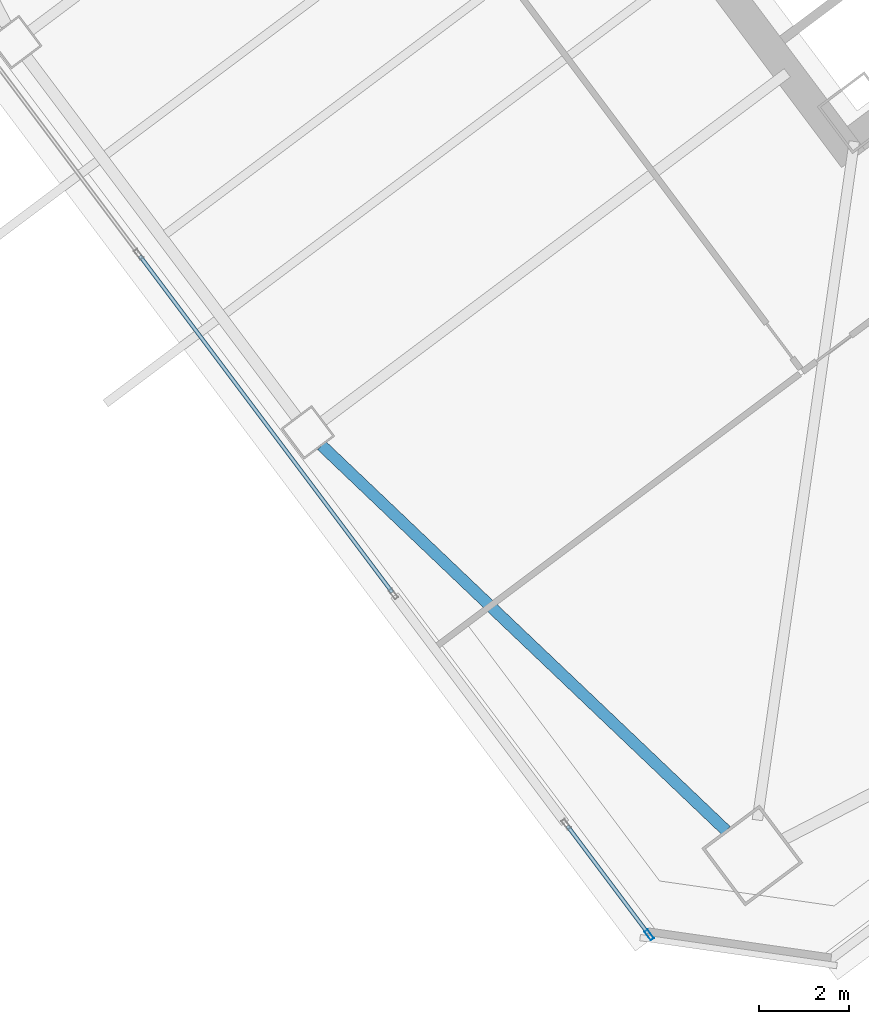
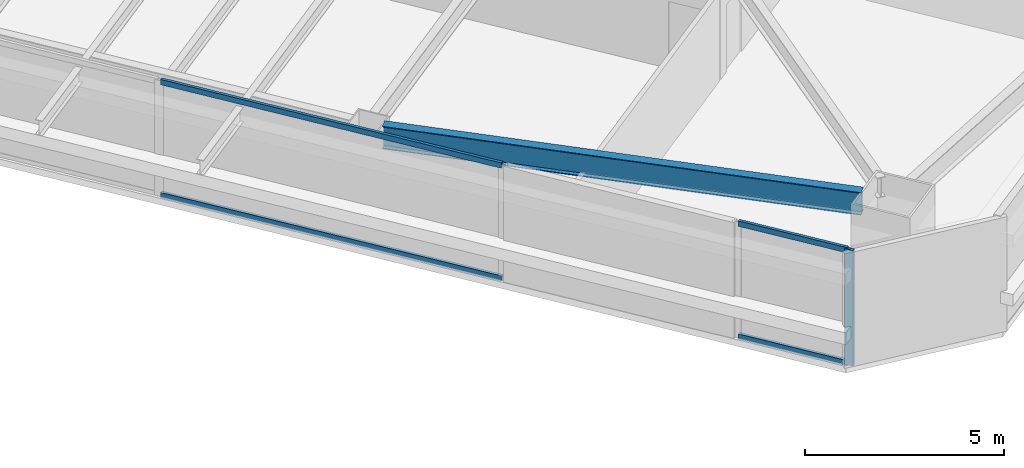
# One storey, part 21 of 48: 5 members, 1 beam, 2 elements without a shape of their own.
"""IFC4 building model written with IfcOpenShell, lengths in metres."""

from ifc_helpers import new_model, si_unit, direction, frame, origin, origin_2d, place, context, subcontext, project, spatial, hollow_rectangle, i_section, extrude, material, material_profile, profile_set, type_object, element, aggregate, save


model = new_model("IFC4")

# Units and contexts
model_context = context("Model", 3, precision=1e-05, world=origin(), true_north=direction((0.0, 1.0)))
body_context = subcontext(model_context, "Body", "Model", "MODEL_VIEW")
ifc_project = project(units=[si_unit("LENGTHUNIT", "METRE"), si_unit("AREAUNIT", "SQUARE_METRE"), si_unit("VOLUMEUNIT", "CUBIC_METRE"), si_unit("PLANEANGLEUNIT", "RADIAN"), si_unit("MASSUNIT", "GRAM", prefix="KILO")], contexts=[model_context])

# Site, building, storey
site_placement = place(None, origin())
site = spatial("IfcSite", under=ifc_project, at=site_placement, CompositionType="ELEMENT")
building_placement = place(site_placement, origin())
building = spatial("IfcBuilding", under=site, at=building_placement, Name="Tashvorn Skyway Center", CompositionType="ELEMENT")
storey_placement = place(building_placement, frame((0.0, 0.0, 53.0)))
storey = spatial("IfcBuildingStorey", under=building, at=storey_placement, Name="L13", CompositionType="ELEMENT", Elevation=53.0)

# Beam
ifc_material_1 = material(Name="Steel ASTM A992 Grade 50", Category="steel")
ifc_material_profile_1 = material_profile(ifc_material_1, i_section(OverallWidth=0.256103515625, OverallDepth=0.693115234375, WebThickness=0.014404296875, FlangeThickness=0.023681640625, at=origin_2d()), Name="W27X114")
ifc_profile_set_1 = profile_set([ifc_material_profile_1], Name="Steel ASTM A992 Grade 50")
beam_type = type_object("IfcBeamType", Name="BM-SPANDREL-W27X114", PredefinedType="SPANDREL", material=ifc_profile_set_1)
beam_placement = place(storey_placement, frame((100.7041015625, 14.76025390625, 3.00341796875), z_axis=(0.724200339835, -0.689589637236, 0.0), x_axis=(0.689589637236, 0.724200339835, 0.0)))
element("IfcBeam", 1, at=beam_placement, inside=storey, type_object=beam_type, Name="Tower 2 L13 Spandrel Beam 12", PredefinedType="SPANDREL", context=body_context, shape_type="SweptSolid", body=[
    extrude(i_section(OverallWidth=0.256103515625, OverallDepth=0.693115234375, WebThickness=0.014404296875, FlangeThickness=0.023681640625, at=origin_2d()), origin(), (0.0, 0.0, 1.0), 12.37255859375),
])

# Curtain wall, members
ifc_material_2 = material(Name="Thermally broken bronze-anodized aluminium 6063-T6", Category="aluminium")
curtain_wall_type = type_object("IfcCurtainWallType", Name="CW-CW-Z1", PredefinedType="NOTDEFINED", material=ifc_material_2)
curtain_wall_1_placement = place(storey_placement, origin())
curtain_wall_1 = element("IfcCurtainWall", 2, at=curtain_wall_1_placement, inside=storey, type_object=curtain_wall_type, Name="Tower 2 L13 West Unitised Curtain Wall Glazing Group 1", PredefinedType="NOTDEFINED")
ifc_material_profile_2 = material_profile(ifc_material_2, hollow_rectangle(XDim=0.0849609375, YDim=0.239990234375, WallThickness=0.0048828125, at=origin_2d()), Name="ALU-MULL-85x240")
ifc_profile_set_2 = profile_set([ifc_material_profile_2], Name="Thermally broken bronze-anodized aluminium 6063-T6")
member_type_1 = type_object("IfcMemberType", Name="CWM-CW-Z1", PredefinedType="MULLION", material=ifc_profile_set_2)
member_1_placement = place(storey_placement, frame((107.95849609375, 3.922119140625, 0.0), z_axis=(0.0, 0.0, 1.0), x_axis=(-0.799996186392, -0.600005084776, 0.0)))
member_1 = element("IfcMember", 3, at=member_1_placement, type_object=member_type_1, Name="CW-Z1 mullion 1", PredefinedType="MULLION", context=body_context, shape_type="SweptSolid", body=[
    extrude(hollow_rectangle(XDim=0.0849609375, YDim=0.239990234375, WallThickness=0.0048828125, at=origin_2d()), origin(), (0.0, 0.0, 1.0), 3.550048828125),
])
ifc_material_profile_3 = material_profile(ifc_material_2, hollow_rectangle(XDim=0.0849609375, YDim=0.1650390625, WallThickness=0.0048828125, at=origin_2d()), Name="ALU-TRAN-85x165")
ifc_profile_set_3 = profile_set([ifc_material_profile_3], Name="Thermally broken bronze-anodized aluminium 6063-T6")
member_type_2 = type_object("IfcMemberType", Name="CWT-CW-Z1", PredefinedType="USERDEFINED", material=ifc_profile_set_3)
member_2_placement = place(storey_placement, frame((107.93310546875, 3.9560546875, 0.04248046875), z_axis=(-0.600026244674, 0.799980315822, 0.0), x_axis=(-0.799980315822, -0.600026244674, 0.0)))
member_2 = element("IfcMember", 4, at=member_2_placement, type_object=member_type_2, Name="CW-Z1 transom 1.1", ObjectType="TRANSOM", PredefinedType="USERDEFINED", context=body_context, shape_type="SweptSolid", body=[
    extrude(hollow_rectangle(XDim=0.0849609375, YDim=0.1650390625, WallThickness=0.0048828125, at=origin_2d()), origin(), (0.0, 0.0, 1.0), 2.976806640625),
])
member_3_placement = place(storey_placement, frame((107.93310546875, 3.9560546875, 3.507568359375), z_axis=(-0.600026244674, 0.799980315822, 0.0), x_axis=(-0.799980315822, -0.600026244674, 0.0)))
member_3 = element("IfcMember", 5, at=member_3_placement, type_object=member_type_2, Name="CW-Z1 transom 1.2", ObjectType="TRANSOM", PredefinedType="USERDEFINED", context=body_context, shape_type="SweptSolid", body=[
    extrude(hollow_rectangle(XDim=0.0849609375, YDim=0.1650390625, WallThickness=0.0048828125, at=origin_2d()), origin(), (0.0, 0.0, 1.0), 2.976806640625),
])
aggregate(curtain_wall_1, [member_1, member_2, member_3])

curtain_wall_2_placement = place(storey_placement, origin())
curtain_wall_2 = element("IfcCurtainWall", 6, at=curtain_wall_2_placement, inside=storey, type_object=curtain_wall_type, Name="Tower 2 L13 West Unitised Curtain Wall Glazing Group 2", PredefinedType="NOTDEFINED")
member_4_placement = place(storey_placement, frame((102.26904296875, 11.508056640625, 0.04248046875), z_axis=(-0.600012583752, 0.799990562031, 0.0), x_axis=(-0.799990562031, -0.600012583752, 0.0)))
member_4 = element("IfcMember", 7, at=member_4_placement, type_object=member_type_2, Name="CW-Z1 transom 1.1", ObjectType="TRANSOM", PredefinedType="USERDEFINED", context=body_context, shape_type="SweptSolid", body=[
    extrude(hollow_rectangle(XDim=0.0849609375, YDim=0.1650390625, WallThickness=0.0048828125, at=origin_2d()), origin(), (0.0, 0.0, 1.0), 9.3125),
])
member_5_placement = place(storey_placement, frame((102.26904296875, 11.508056640625, 3.507568359375), z_axis=(-0.600012583752, 0.799990562031, 0.0), x_axis=(-0.799990562031, -0.600012583752, 0.0)))
member_5 = element("IfcMember", 8, at=member_5_placement, type_object=member_type_2, Name="CW-Z1 transom 1.2", ObjectType="TRANSOM", PredefinedType="USERDEFINED", context=body_context, shape_type="SweptSolid", body=[
    extrude(hollow_rectangle(XDim=0.0849609375, YDim=0.1650390625, WallThickness=0.0048828125, at=origin_2d()), origin(), (0.0, 0.0, 1.0), 9.3125),
])
aggregate(curtain_wall_2, [member_4, member_5])

save(model, "model.ifc")
